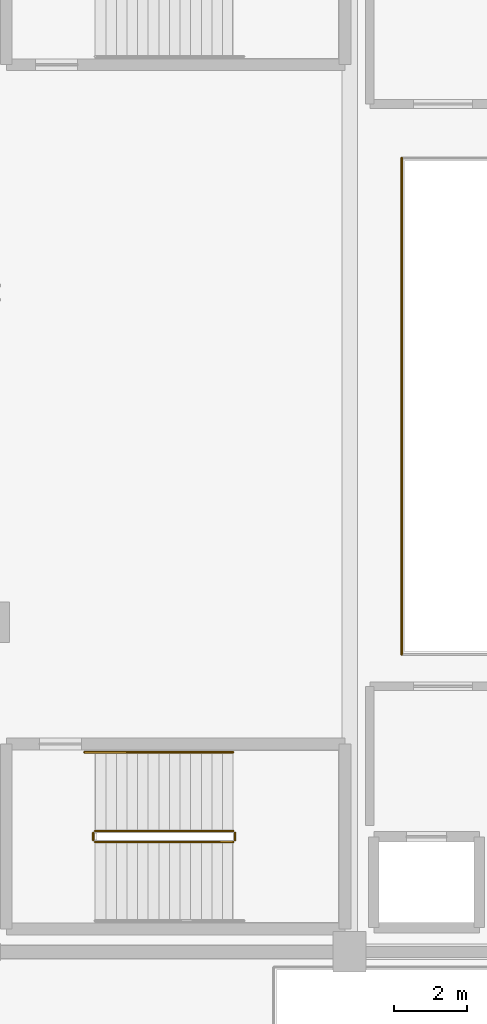
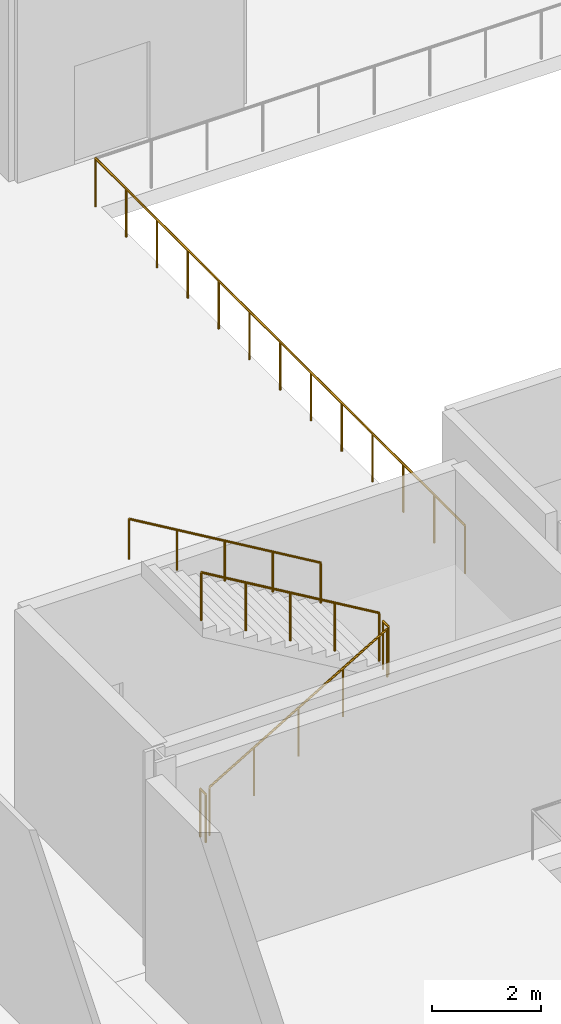
# One storey, part 37 of 41: 6 railings.
"""IFC4 building model written with IfcOpenShell, lengths in metres."""

from ifc_helpers import new_model, si_unit, direction, frame, origin, origin_2d, place, context, subcontext, project, spatial, circle, extrude, material, type_object, element, save


model = new_model("IFC4")

# Units and contexts
model_context = context("Model", 3, precision=1e-05, world=origin(), true_north=direction((0.0, 1.0)))
body_context = subcontext(model_context, "Body", "Model", "MODEL_VIEW")
ifc_project = project(units=[si_unit("LENGTHUNIT", "METRE"), si_unit("AREAUNIT", "SQUARE_METRE"), si_unit("VOLUMEUNIT", "CUBIC_METRE"), si_unit("PLANEANGLEUNIT", "RADIAN"), si_unit("MASSUNIT", "GRAM", prefix="KILO")], contexts=[model_context])

# Site, building, storey
site_placement = place(None, origin())
site = spatial("IfcSite", under=ifc_project, at=site_placement, CompositionType="ELEMENT")
building_placement = place(site_placement, origin())
building = spatial("IfcBuilding", under=site, at=building_placement, Name="Trimount Lyric Opera House", CompositionType="ELEMENT")
storey_placement = place(building_placement, frame((0.0, 0.0, 20.0)))
storey = spatial("IfcBuildingStorey", under=building, at=storey_placement, Name="L04", CompositionType="ELEMENT", Elevation=20.0)

# Railings
ifc_material_1 = material(Name="Brushed Stainless Steel 316", Category="steel")
railing_type_1 = type_object("IfcRailingType", Name="RL-GRD110", PredefinedType="GUARDRAIL", material=ifc_material_1)
railing_1_placement = place(storey_placement, frame((67.050048828125, 87.0, 0.17138671875)))
element("IfcRailing", 1, at=railing_1_placement, inside=storey, type_object=railing_type_1, Name="L04 ST-03 stair guard 1", PredefinedType="GUARDRAIL", context=body_context, shape_type="SweptSolid", body=[
    extrude(circle(Radius=0.02392578125, at=origin_2d()), frame((0.0, 0.0, 1.076171875), z_axis=(0.860848830602, 0.0, 0.508860777473), x_axis=(0.0, 1.0, 0.0)), (0.0, 0.0, 1.0), 4.37939453125),
    extrude(circle(Radius=0.02099609375, at=origin_2d()), origin(), (0.0, 0.0, 1.0), 1.052001953125),
    extrude(circle(Radius=0.02099609375, at=origin_2d()), frame((0.9423828125, 0.0, 0.55712890625)), (0.0, 0.0, 1.0), 1.052001953125),
    extrude(circle(Radius=0.02099609375, at=origin_2d()), frame((1.885009765625, 0.0, 1.1142578125)), (0.0, 0.0, 1.0), 1.052001953125),
    extrude(circle(Radius=0.02099609375, at=origin_2d()), frame((2.82763671875, 0.0, 1.67138671875)), (0.0, 0.0, 1.0), 1.052001953125),
    extrude(circle(Radius=0.02099609375, at=origin_2d()), frame((3.77001953125, 0.0, 2.228515625)), (0.0, 0.0, 1.0), 1.052001953125),
])
railing_2_placement = place(storey_placement, frame((70.8701171875, 87.050048828125, 2.39990234375)))
element("IfcRailing", 2, at=railing_2_placement, inside=storey, type_object=railing_type_1, Name="L04 ST-03 stair guard 2", PredefinedType="GUARDRAIL", context=body_context, shape_type="SweptSolid", body=[
    extrude(circle(Radius=0.02392578125, at=origin_2d()), frame((0.0, 0.0, 1.076171875), z_axis=(0.0, 1.0, 0.0), x_axis=(-1.0, 0.0, 0.0)), (0.0, 0.0, 1.0), 0.199951171875),
    extrude(circle(Radius=0.02099609375, at=origin_2d()), origin(), (0.0, 0.0, 1.0), 1.052001953125),
    extrude(circle(Radius=0.02099609375, at=origin_2d()), frame((0.0, 0.199951171875, 0.0)), (0.0, 0.0, 1.0), 1.052001953125),
])
railing_3_placement = place(storey_placement, frame((70.820068359375, 87.300048828125, 2.571533203125)))
element("IfcRailing", 3, at=railing_3_placement, inside=storey, type_object=railing_type_1, Name="L04 ST-03 stair guard 3", PredefinedType="GUARDRAIL", context=body_context, shape_type="SweptSolid", body=[
    extrude(circle(Radius=0.02392578125, at=origin_2d()), frame((0.0, 0.0, 1.076171875), z_axis=(-0.860848830602, 0.0, 0.508860777473), x_axis=(0.0, -1.0, 0.0)), (0.0, 0.0, 1.0), 4.37939453125),
    extrude(circle(Radius=0.02099609375, at=origin_2d()), origin(), (0.0, 0.0, 1.0), 1.052001953125),
    extrude(circle(Radius=0.02099609375, at=origin_2d()), frame((-0.9423828125, 0.0, 0.55712890625)), (0.0, 0.0, 1.0), 1.052001953125),
    extrude(circle(Radius=0.02099609375, at=origin_2d()), frame((-1.885009765625, 0.0, 1.1142578125)), (0.0, 0.0, 1.0), 1.052001953125),
    extrude(circle(Radius=0.02099609375, at=origin_2d()), frame((-2.82763671875, 0.0, 1.67138671875)), (0.0, 0.0, 1.0), 1.052001953125),
    extrude(circle(Radius=0.02099609375, at=origin_2d()), frame((-3.77001953125, 0.0, 2.228515625)), (0.0, 0.0, 1.0), 1.052001953125),
])
railing_4_placement = place(storey_placement, frame((67.0, 87.050048828125, 0.0)))
element("IfcRailing", 4, at=railing_4_placement, inside=storey, type_object=railing_type_1, Name="L04 ST-03 stair guard 4", PredefinedType="GUARDRAIL", context=body_context, shape_type="SweptSolid", body=[
    extrude(circle(Radius=0.02392578125, at=origin_2d()), frame((0.0, 0.0, 1.076171875), z_axis=(0.0, 1.0, 0.0), x_axis=(-1.0, 0.0, 0.0)), (0.0, 0.0, 1.0), 0.199951171875),
    extrude(circle(Radius=0.02099609375, at=origin_2d()), origin(), (0.0, 0.0, 1.0), 1.052001953125),
    extrude(circle(Radius=0.02099609375, at=origin_2d()), frame((0.0, 0.199951171875, 0.0)), (0.0, 0.0, 1.0), 1.052001953125),
])
railing_5_placement = place(storey_placement, frame((75.419921875, 105.679931640625, 0.0)))
element("IfcRailing", 5, at=railing_5_placement, inside=storey, type_object=railing_type_1, Name="L04 atrium and balcony guard GRD-FLY-L04-W", PredefinedType="GUARDRAIL", context=body_context, shape_type="SweptSolid", body=[
    extrude(circle(Radius=0.02392578125, at=origin_2d()), frame((0.0, 0.0, 1.076171875), z_axis=(0.0, -1.0, 0.0), x_axis=(1.0, 0.0, 0.0)), (0.0, 0.0, 1.0), 13.559814453125),
    extrude(circle(Radius=0.02099609375, at=origin_2d()), origin(), (0.0, 0.0, 1.0), 1.052001953125),
    extrude(circle(Radius=0.02099609375, at=origin_2d()), frame((0.0, -1.1298828125, 0.0)), (0.0, 0.0, 1.0), 1.052001953125),
    extrude(circle(Radius=0.02099609375, at=origin_2d()), frame((0.0, -2.260009765625, 0.0)), (0.0, 0.0, 1.0), 1.052001953125),
    extrude(circle(Radius=0.02099609375, at=origin_2d()), frame((0.0, -3.389892578125, 0.0)), (0.0, 0.0, 1.0), 1.052001953125),
    extrude(circle(Radius=0.02099609375, at=origin_2d()), frame((0.0, -4.52001953125, 0.0)), (0.0, 0.0, 1.0), 1.052001953125),
    extrude(circle(Radius=0.02099609375, at=origin_2d()), frame((0.0, -5.64990234375, 0.0)), (0.0, 0.0, 1.0), 1.052001953125),
    extrude(circle(Radius=0.02099609375, at=origin_2d()), frame((0.0, -6.77978515625, 0.0)), (0.0, 0.0, 1.0), 1.052001953125),
    extrude(circle(Radius=0.02099609375, at=origin_2d()), frame((0.0, -7.909912109375, 0.0)), (0.0, 0.0, 1.0), 1.052001953125),
    extrude(circle(Radius=0.02099609375, at=origin_2d()), frame((0.0, -9.039794921875, 0.0)), (0.0, 0.0, 1.0), 1.052001953125),
    extrude(circle(Radius=0.02099609375, at=origin_2d()), frame((0.0, -10.169921875, 0.0)), (0.0, 0.0, 1.0), 1.052001953125),
    extrude(circle(Radius=0.02099609375, at=origin_2d()), frame((0.0, -11.2998046875, 0.0)), (0.0, 0.0, 1.0), 1.052001953125),
    extrude(circle(Radius=0.02099609375, at=origin_2d()), frame((0.0, -12.429931640625, 0.0)), (0.0, 0.0, 1.0), 1.052001953125),
    extrude(circle(Radius=0.02099609375, at=origin_2d()), frame((0.0, -13.559814453125, 0.0)), (0.0, 0.0, 1.0), 1.052001953125),
])
ifc_material_2 = material(Name="Brushed Stainless Steel 316", Category="steel")
railing_type_2 = type_object("IfcRailingType", Name="RL-HND092", PredefinedType="HANDRAIL", material=ifc_material_2)
railing_6_placement = place(storey_placement, frame((70.820068359375, 89.449951171875, 2.571533203125)))
element("IfcRailing", 6, at=railing_6_placement, inside=storey, type_object=railing_type_2, Name="L04 ST-03 stair handrail 2", PredefinedType="HANDRAIL", context=body_context, shape_type="SweptSolid", body=[
    extrude(circle(Radius=0.0224609375, at=origin_2d()), frame((0.0, 0.0, 0.8974609375), z_axis=(-0.86055955557, 0.0, 0.509349831959), x_axis=(0.0, -1.0, 0.0)), (0.0, 0.0, 1.0), 4.718017578125),
    extrude(circle(Radius=0.02099609375, at=origin_2d()), origin(), (0.0, 0.0, 1.0), 0.875),
    extrude(circle(Radius=0.02099609375, at=origin_2d()), frame((-1.01513671875, 0.0, 0.600830078125)), (0.0, 0.0, 1.0), 0.875),
    extrude(circle(Radius=0.02099609375, at=origin_2d()), frame((-2.030029296875, 0.0, 1.20166015625)), (0.0, 0.0, 1.0), 0.875),
    extrude(circle(Radius=0.02099609375, at=origin_2d()), frame((-3.044921875, 0.0, 1.80224609375)), (0.0, 0.0, 1.0), 0.875),
    extrude(circle(Radius=0.02099609375, at=origin_2d()), frame((-4.06005859375, 0.0, 2.403076171875)), (0.0, 0.0, 1.0), 0.875),
])

save(model, "model.ifc")
